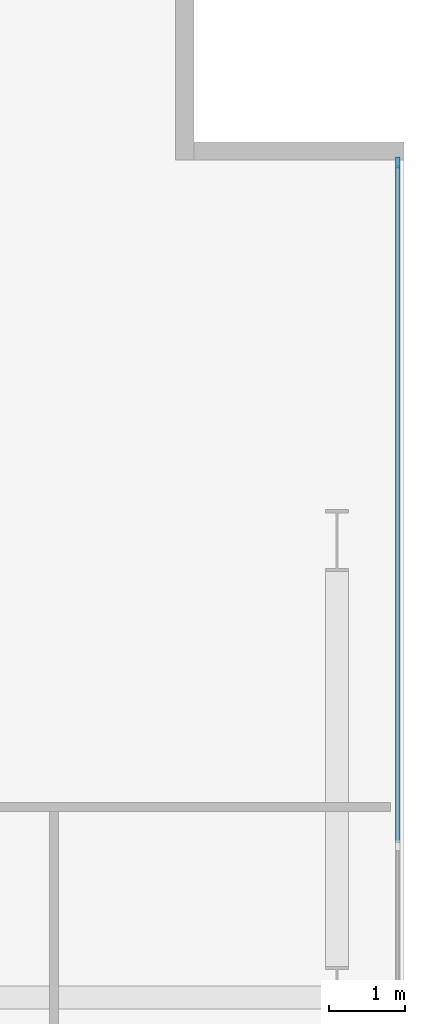
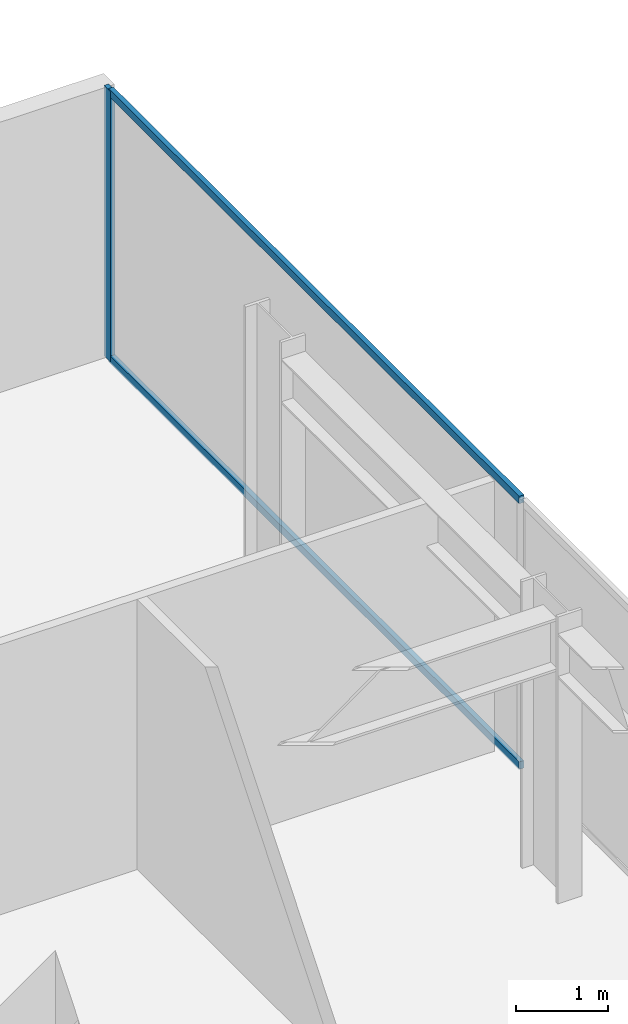
# One storey, part 15 of 23: 3 members, 1 element without a shape of its own.
"""IFC4 building model written with IfcOpenShell, lengths in metres."""

from ifc_helpers import new_model, si_unit, direction, frame, origin, origin_2d, place, context, subcontext, project, spatial, rectangle, extrude, material, layer, layer_set, material_profile, profile_set, type_object, element, aggregate, save


model = new_model("IFC4")

# Units and contexts
model_context = context("Model", 3, precision=1e-05, world=origin(), true_north=direction((0.0, 1.0)))
body_context = subcontext(model_context, "Body", "Model", "MODEL_VIEW")
ifc_project = project(units=[si_unit("LENGTHUNIT", "METRE"), si_unit("AREAUNIT", "SQUARE_METRE"), si_unit("VOLUMEUNIT", "CUBIC_METRE"), si_unit("PLANEANGLEUNIT", "RADIAN"), si_unit("MASSUNIT", "GRAM", prefix="KILO")], contexts=[model_context])

# Site, building, storey
site_placement = place(None, origin())
site = spatial("IfcSite", under=ifc_project, at=site_placement, CompositionType="ELEMENT")
building_placement = place(site_placement, origin())
building = spatial("IfcBuilding", under=site, at=building_placement, Name="Putna Gate Headquarters", CompositionType="ELEMENT")
storey_placement = place(building_placement, frame((0.0, 0.0, 217.60009765625)))
storey = spatial("IfcBuildingStorey", under=building, at=storey_placement, Name="L54", CompositionType="ELEMENT", Elevation=217.60009765625)

# Curtain wall, members
ifc_material_1 = material(Name="Anodised bronze aluminium curtain wall", Category="aluminium")
ifc_layer = layer(ifc_material_1, 0.139892578125)
ifc_layer_set = layer_set([ifc_layer], Name="Anodised bronze aluminium curtain wall")
curtain_wall_type = type_object("IfcCurtainWallType", Name="CW-SYS-Z4", PredefinedType="USERDEFINED", material=ifc_layer_set)
curtain_wall_placement = place(storey_placement, origin())
curtain_wall = element("IfcCurtainWall", 1, at=curtain_wall_placement, inside=storey, type_object=curtain_wall_type, Name="L54 East Curtain Wall", ObjectType="STICK CURTAIN WALL", PredefinedType="USERDEFINED")
ifc_material_2 = material(Name="Anodised bronze aluminium EN AW-6060", Category="aluminium")
ifc_material_profile_1 = material_profile(ifc_material_2, rectangle(XDim=0.06005859375, YDim=0.139892578125, at=origin_2d()), Name="Anodised bronze aluminium EN AW-6060")
ifc_profile_set_1 = profile_set([ifc_material_profile_1], Name="Anodised bronze aluminium EN AW-6060")
member_type_1 = type_object("IfcMemberType", Name="MULL-CWM-4", PredefinedType="MULLION", material=ifc_profile_set_1)
member_1_placement = place(storey_placement, frame((72.1201171875, 43.969970703125, 0.0), z_axis=(0.0, 0.0, 1.0), x_axis=(-1.0, 0.0, 0.0)))
member_1 = element("IfcMember", 2, at=member_1_placement, type_object=member_type_1, Name="CWS-4 mullion 5", PredefinedType="MULLION", context=body_context, shape_type="SweptSolid", body=[
    extrude(rectangle(XDim=0.06005859375, YDim=0.139892578125, at=origin_2d()), origin(), (0.0, 0.0, 1.0), 3.579833984375),
])
ifc_material_profile_2 = material_profile(ifc_material_2, rectangle(XDim=0.06005859375, YDim=0.10009765625, at=origin_2d()), Name="Anodised bronze aluminium EN AW-6060")
ifc_profile_set_2 = profile_set([ifc_material_profile_2], Name="Anodised bronze aluminium EN AW-6060")
member_type_2 = type_object("IfcMemberType", Name="TRAN-CWT-4", PredefinedType="USERDEFINED", material=ifc_profile_set_2)
member_2_placement = place(storey_placement, frame((72.1201171875, 35.030029296875, 0.02978515625), z_axis=(0.0, 1.0, 0.0), x_axis=(-1.0, 0.0, 0.0)))
member_2 = element("IfcMember", 3, at=member_2_placement, type_object=member_type_2, Name="CWS-4 transom 4.1", ObjectType="TRANSOM", PredefinedType="USERDEFINED", context=body_context, shape_type="SweptSolid", body=[
    extrude(rectangle(XDim=0.06005859375, YDim=0.10009765625, at=origin_2d()), origin(), (0.0, 0.0, 1.0), 8.909912109375),
])
member_3_placement = place(storey_placement, frame((72.1201171875, 35.030029296875, 3.5498046875), z_axis=(0.0, 1.0, 0.0), x_axis=(-1.0, 0.0, 0.0)))
member_3 = element("IfcMember", 4, at=member_3_placement, type_object=member_type_2, Name="CWS-4 transom 4.2", ObjectType="TRANSOM", PredefinedType="USERDEFINED", context=body_context, shape_type="SweptSolid", body=[
    extrude(rectangle(XDim=0.06005859375, YDim=0.10009765625, at=origin_2d()), origin(), (0.0, 0.0, 1.0), 8.909912109375),
])
aggregate(curtain_wall, [member_1, member_2, member_3])

save(model, "model.ifc")
